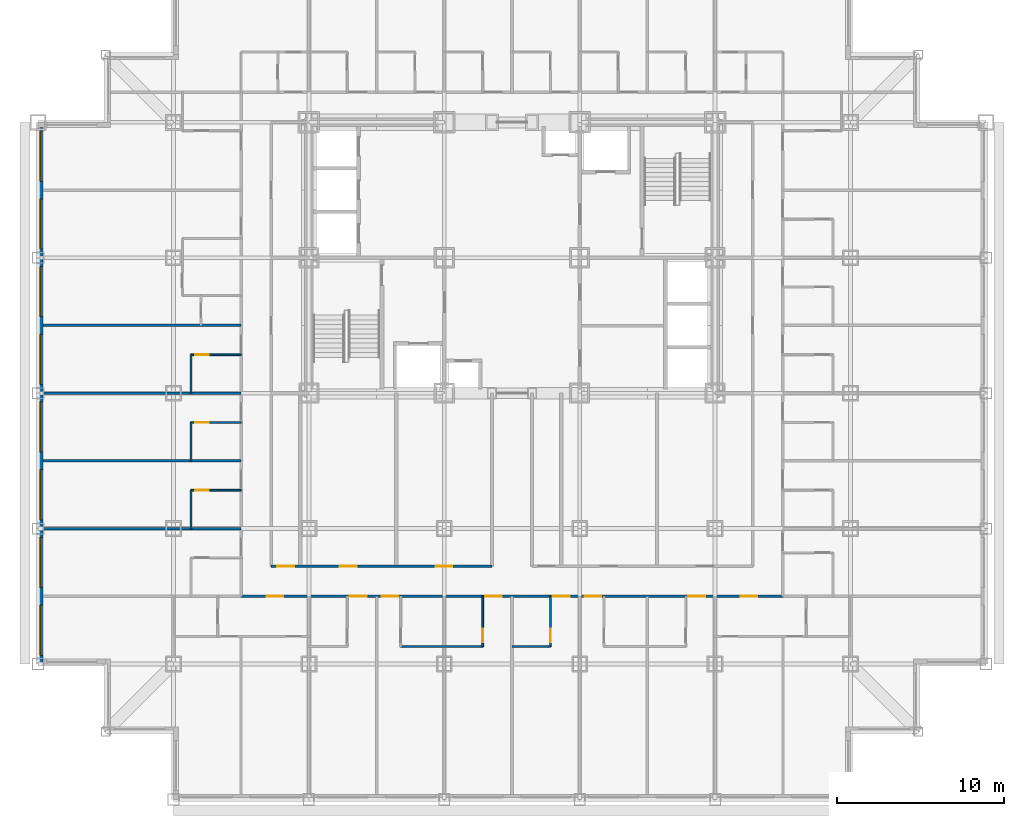
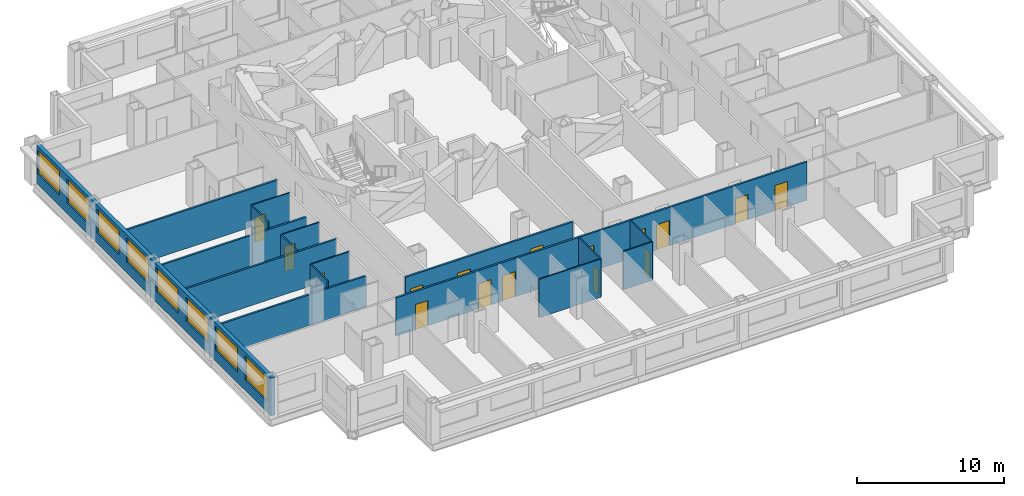
# One storey, part 4 of 11: 17 walls, 16 doors, 8 windows, 24 openings.
"""IFC4 building model written with IfcOpenShell, lengths in metres."""

import ifcopenshell
import ifcopenshell.guid

model = None  # the IFC model being written
_history = None  # IfcOwnerHistory: only IFC2X3 demands one
_inside = {}  # id of a spatial element -> (the spatial element, [elements in it])
_under = {}  # id of a project, library or spatial element -> (it, [spatial elements below it])
_declared = {}  # id of a project -> (the project, [libraries it declares])
_typed = {}  # id of a type object -> (the type object, [elements of that type])
_made_of = {}  # id of a material, layer set ... -> (it, [elements and type objects made of it])


def new_model(schema):
    """Start an empty IFC model of exactly this schema.

    Asked for "IFC4X3", IfcOpenShell would pick the latest addendum, in which some entities
    have other attributes; the version numbers below select the first issue.
    IFC2X3 requires an IfcOwnerHistory on every rooted entity: one is made here for all.
    """
    global model, _history
    if schema == "IFC4X3":
        model = ifcopenshell.file(schema_version=(4, 3, 0, 0))
    else:
        model = ifcopenshell.file(schema=schema)
    _inside.clear()
    _under.clear()
    _declared.clear()
    _typed.clear()
    _made_of.clear()
    _history = None
    if model.schema == "IFC2X3":
        org = make("IfcOrganization", Name="unknown")
        user = make(
            "IfcPersonAndOrganization",
            ThePerson=make("IfcPerson", FamilyName="unknown"),
            TheOrganization=org,
        )
        app = make(
            "IfcApplication",
            ApplicationDeveloper=org,
            Version="unknown",
            ApplicationFullName="unknown",
            ApplicationIdentifier="unknown",
        )
        _history = make(
            "IfcOwnerHistory",
            OwningUser=user,
            OwningApplication=app,
            ChangeAction="ADDED",
            CreationDate=0,
        )
    return model


def make(cls, **values):
    """One entity of the class cls with the attributes given. An attribute that is None is left unset."""
    return model.create_entity(
        cls, **{name: value for name, value in values.items() if value is not None}
    )


def rooted(cls, **values):
    """An entity with a GlobalId (a new one), such as an element, a storey or a relation."""
    return make(cls, GlobalId=ifcopenshell.guid.new(), OwnerHistory=_history, **values)


def si_unit(unit_type, name, prefix=None):
    """IfcSIUnit, for example si_unit("LENGTHUNIT", "METRE", prefix="MILLI")."""
    return make("IfcSIUnit", UnitType=unit_type, Prefix=prefix, Name=name)


def assignment(units):
    """IfcUnitAssignment: the units of a project."""
    return None if units is None else make("IfcUnitAssignment", Units=units)


def point(xyz):
    """IfcCartesianPoint."""
    return None if xyz is None else make("IfcCartesianPoint", Coordinates=xyz)


def direction(xyz):
    """IfcDirection."""
    return None if xyz is None else make("IfcDirection", DirectionRatios=xyz)


def frame(location, z_axis=None, x_axis=None):
    """IfcAxis2Placement3D, a coordinate frame: its origin and axes. An axis left out is left unset."""
    return make(
        "IfcAxis2Placement3D",
        Location=point(location),
        Axis=direction(z_axis),
        RefDirection=direction(x_axis),
    )


def frame_2d(location, x_axis=None):
    """IfcAxis2Placement2D, a coordinate frame in the plane: its origin and x axis."""
    return make(
        "IfcAxis2Placement2D", Location=point(location), RefDirection=direction(x_axis)
    )


def origin():
    """The frame at (0, 0, 0) with its axes left unset."""
    return frame((0.0, 0.0, 0.0))


def place(relative_to, where):
    """IfcLocalPlacement: puts the frame where relative to a parent placement (None: the world)."""
    return make(
        "IfcLocalPlacement", PlacementRelTo=relative_to, RelativePlacement=where
    )


def context(
    kind, dimensions, precision=None, world=None, true_north=None, identifier=None
):
    """IfcGeometricRepresentationContext, for example the 3D "Model" context."""
    return make(
        "IfcGeometricRepresentationContext",
        ContextIdentifier=identifier,
        ContextType=kind,
        CoordinateSpaceDimension=dimensions,
        Precision=precision,
        WorldCoordinateSystem=world,
        TrueNorth=true_north,
    )


def subcontext(parent, identifier, kind, view, scale=None):
    """IfcGeometricRepresentationSubContext, for example "Body" below "Model"."""
    return make(
        "IfcGeometricRepresentationSubContext",
        ContextIdentifier=identifier,
        ContextType=kind,
        ParentContext=parent,
        TargetScale=scale,
        TargetView=view,
    )


def project(units=None, contexts=None):
    """IfcProject with its units and contexts."""
    return rooted(
        "IfcProject",
        Name="project",
        RepresentationContexts=contexts,
        UnitsInContext=assignment(units),
    )


def spatial(cls, under=None, at=None, **own):
    """A site, building, storey or space (cls), placed at a placement, below another one or the project."""
    s = rooted(cls, ObjectPlacement=at, **own)
    if under is not None:
        _under.setdefault(under.id(), (under, []))[1].append(s)
    return s


def profile(cls, at=None, kind="AREA", **sizes):
    """A parametric profile (cls). Its sizes go by their IFC names, for example OverallWidth=200.0."""
    return make(cls, ProfileType=kind, Position=at, **sizes)


def rectangle(**sizes):
    """IfcRectangleProfileDef."""
    return profile("IfcRectangleProfileDef", **sizes)


def extrude(swept, where, along, depth):
    """IfcExtrudedAreaSolid: the profile swept, set in the frame where, extruded along a direction by depth."""
    return make(
        "IfcExtrudedAreaSolid",
        SweptArea=swept,
        Position=where,
        ExtrudedDirection=direction(along),
        Depth=depth,
    )


def shape(context_of_items, identifier, shape_type, items):
    """IfcShapeRepresentation: the items that make up one representation, for example the "Body"."""
    return make(
        "IfcShapeRepresentation",
        ContextOfItems=context_of_items,
        RepresentationIdentifier=identifier,
        RepresentationType=shape_type,
        Items=items,
    )


def material(Name=None, Category=None):
    """IfcMaterial."""
    return make("IfcMaterial", Name=Name, Category=Category)


def layer(
    of_material, thickness, ventilated=None, Name=None, Category=None, Priority=None
):
    """IfcMaterialLayer: one layer of a wall or slab, of a material (None: an air gap)."""
    return make(
        "IfcMaterialLayer",
        Material=of_material,
        LayerThickness=thickness,
        IsVentilated=ventilated,
        Name=Name,
        Category=Category,
        Priority=Priority,
    )


def layer_set(layers, Name=None):
    """IfcMaterialLayerSet."""
    return make("IfcMaterialLayerSet", MaterialLayers=layers, LayerSetName=Name)


def made_of(thing, what):
    """Note that an element or type object is made of a material, layer set ...; save() writes the relation."""
    if what is not None:
        _made_of.setdefault(what.id(), (what, []))[1].append(thing)
    return thing


def type_object(cls, material=None, **own):
    """A type object (cls), such as IfcWallType, which elements share."""
    return made_of(rooted(cls, **own), material)


def element(
    cls,
    number,
    at=None,
    inside=None,
    cuts=None,
    type_object=None,
    material=None,
    context=None,
    identifier="Body",
    shape_type=None,
    held_by="IfcProductDefinitionShape",
    body=None,
    shapes=None,
    **own,
):
    """One element of the class cls, such as IfcWall. Its Tag is "e" and its number.

    at: its placement. inside: the storey or other place that contains it. cuts: it is an
    opening in that element (IfcRelVoidsElement). A single representation is given by context,
    identifier, shape_type and body (its items); several are given by shapes. held_by: the class
    of the entity that holds the representations. save() writes the other relations.
    """
    e = rooted(cls, Tag="e%d" % number, ObjectPlacement=at, **own)
    if body is not None:
        shapes = [shape(context, identifier, shape_type, body)]
    if shapes is not None:
        e.Representation = make(held_by, Representations=shapes)
    if inside is not None:
        _inside.setdefault(inside.id(), (inside, []))[1].append(e)
    if cuts is not None:
        rooted(
            "IfcRelVoidsElement", RelatingBuildingElement=cuts, RelatedOpeningElement=e
        )
    if type_object is not None:
        _typed.setdefault(type_object.id(), (type_object, []))[1].append(e)
    return made_of(e, material)


def fill(opening, filler):
    """IfcRelFillsElement: the door or window that sits in an opening."""
    return rooted(
        "IfcRelFillsElement",
        RelatingOpeningElement=opening,
        RelatedBuildingElement=filler,
    )


def aggregate(whole, parts):
    """IfcRelAggregates: a whole, such as a stair, and the parts it consists of."""
    return rooted("IfcRelAggregates", RelatingObject=whole, RelatedObjects=parts)


def save(model, path):
    """Write the relations noted so far, then the file.

    IfcRelAggregates (storeys below a building ...), IfcRelContainedInSpatialStructure (elements
    in a storey), IfcRelDefinesByType, IfcRelAssociatesMaterial and IfcRelDeclares: one each for
    every whole, place, type object, material and project.
    """
    for whole, parts in _under.values():
        aggregate(whole, parts)
    for where, things in _inside.values():
        rooted(
            "IfcRelContainedInSpatialStructure",
            RelatedElements=things,
            RelatingStructure=where,
        )
    for kind, things in _typed.values():
        rooted("IfcRelDefinesByType", RelatedObjects=things, RelatingType=kind)
    for what, things in _made_of.values():
        rooted("IfcRelAssociatesMaterial", RelatedObjects=things, RelatingMaterial=what)
    for by, libraries in _declared.values():
        rooted("IfcRelDeclares", RelatingContext=by, RelatedDefinitions=libraries)
    model.write(path)


model = new_model("IFC4")

# Units and contexts
model_context = context("Model", 3, precision=1e-05, world=origin(), true_north=direction((0.0, 1.0)))
body_context = subcontext(model_context, "Body", "Model", "MODEL_VIEW")
ifc_project = project(units=[si_unit("LENGTHUNIT", "METRE"), si_unit("AREAUNIT", "SQUARE_METRE"), si_unit("VOLUMEUNIT", "CUBIC_METRE"), si_unit("PLANEANGLEUNIT", "RADIAN"), si_unit("MASSUNIT", "GRAM", prefix="KILO")], contexts=[model_context])

# Site, building, storey
site_placement = place(None, origin())
site = spatial("IfcSite", under=ifc_project, at=site_placement, CompositionType="ELEMENT")
building_placement = place(site_placement, origin())
building = spatial("IfcBuilding", under=site, at=building_placement, Name="Kopane Lantern Tower", CompositionType="ELEMENT")
storey_placement = place(building_placement, frame((0.0, 0.0, 60.199951171875)))
storey = spatial("IfcBuildingStorey", under=building, at=storey_placement, Name="L14", CompositionType="ELEMENT", Elevation=60.199951171875)

# Wall
ifc_material_1 = material(Name="Moisture-resistant board on steel studs", Category="steel")
ifc_layer_1 = layer(ifc_material_1, 0.10009765625)
ifc_layer_set_1 = layer_set([ifc_layer_1], Name="BATHROOM WALL 100")
wall_type_1 = type_object("IfcWallType", Name="BATHROOM WALL 100", PredefinedType="PARTITIONING", material=ifc_layer_set_1)
wall_1_placement = place(storey_placement, frame((21.699951171875, 9.14990234375, 0.0), z_axis=(0.0, 0.0, 1.0), x_axis=(1.0, 0.0, 0.0)))
element("IfcWall", 1, at=wall_1_placement, inside=storey, type_object=wall_type_1, Name="Bathroom Wall 100 L14", PredefinedType="PARTITIONING", context=body_context, shape_type="SweptSolid", body=[
    extrude(rectangle(XDim=4.900146484375, YDim=0.10009765625, at=frame_2d((2.4501953125, 0.0))), origin(), (0.0, 0.0, 1.0), 3.18994140625),
])

# Wall, opening, door
wall_2_placement = place(storey_placement, frame((26.60009765625, 12.14990234375, 0.0), z_axis=(0.0, 0.0, 1.0), x_axis=(0.0, -1.0, 0.0)))
wall_2 = element("IfcWall", 2, at=wall_2_placement, inside=storey, type_object=wall_type_1, Name="Bathroom Wall 100 L14", PredefinedType="PARTITIONING", context=body_context, shape_type="SweptSolid", body=[
    extrude(rectangle(XDim=3.0, YDim=0.10009765625, at=frame_2d((1.5, 0.0))), origin(), (0.0, 0.0, 1.0), 3.18994140625),
])
opening_1_placement = place(wall_2_placement, frame((1.949951171875, 0.0, 0.0)))
opening_1 = element("IfcOpeningElement", 3, at=opening_1_placement, cuts=wall_2, Name="Opening L14-015", PredefinedType="OPENING", context=body_context, shape_type="SweptSolid", body=[
    extrude(rectangle(XDim=0.800048828125, YDim=2.10009765625, at=frame_2d((0.39990234375, 1.050048828125))), frame((0.0, 0.06005859375, 0.0), z_axis=(0.0, -1.0, 0.0), x_axis=(1.0, 0.0, 0.0)), (0.0, 0.0, 1.0), 0.1201171875),
])
ifc_material_2 = material(Name="Timber door set", Category="wood")
door_type_1 = type_object("IfcDoorType", Name="DOOR D2 800x2100", OperationType="SINGLE_SWING_LEFT", PredefinedType="DOOR", material=ifc_material_2)
door_1_placement = place(opening_1_placement, origin())
door_1 = element("IfcDoor", 4, at=door_1_placement, inside=storey, type_object=door_type_1, Name="Door L14-015", OperationType="SINGLE_SWING_LEFT", OverallHeight=2.10009765625, OverallWidth=0.800048828125, PredefinedType="DOOR", context=body_context, shape_type="SweptSolid", body=[
    extrude(rectangle(XDim=0.800048828125, YDim=2.10009765625, at=frame_2d((0.39990234375, 1.050048828125))), frame((0.0, 0.02490234375, 0.0), z_axis=(0.0, -1.0, 0.0), x_axis=(1.0, 0.0, 0.0)), (0.0, 0.0, 1.0), 0.050048828125),
])
fill(opening_1, door_1)

# Wall
wall_3_placement = place(storey_placement, frame((28.35009765625, 9.14990234375, 0.0), z_axis=(0.0, 0.0, 1.0), x_axis=(1.0, 0.0, 0.0)))
element("IfcWall", 5, at=wall_3_placement, inside=storey, type_object=wall_type_1, Name="Bathroom Wall 100 L14", PredefinedType="PARTITIONING", context=body_context, shape_type="SweptSolid", body=[
    extrude(rectangle(XDim=2.2998046875, YDim=0.10009765625, at=frame_2d((1.14990234375, 0.0))), origin(), (0.0, 0.0, 1.0), 3.18994140625),
])

# Wall, opening, door
wall_4_placement = place(storey_placement, frame((30.64990234375, 12.14990234375, 0.0), z_axis=(0.0, 0.0, 1.0), x_axis=(0.0, -1.0, 0.0)))
wall_4 = element("IfcWall", 6, at=wall_4_placement, inside=storey, type_object=wall_type_1, Name="Bathroom Wall 100 L14", PredefinedType="PARTITIONING", context=body_context, shape_type="SweptSolid", body=[
    extrude(rectangle(XDim=3.0, YDim=0.10009765625, at=frame_2d((1.5, 0.0))), origin(), (0.0, 0.0, 1.0), 3.18994140625),
])
opening_2_placement = place(wall_4_placement, frame((1.949951171875, 0.0, 0.0)))
opening_2 = element("IfcOpeningElement", 7, at=opening_2_placement, cuts=wall_4, Name="Opening L14-017", PredefinedType="OPENING", context=body_context, shape_type="SweptSolid", body=[
    extrude(rectangle(XDim=0.800048828125, YDim=2.10009765625, at=frame_2d((0.39990234375, 1.050048828125))), frame((0.0, 0.06005859375, 0.0), z_axis=(0.0, -1.0, 0.0), x_axis=(1.0, 0.0, 0.0)), (0.0, 0.0, 1.0), 0.1201171875),
])
door_2_placement = place(opening_2_placement, origin())
door_2 = element("IfcDoor", 8, at=door_2_placement, inside=storey, type_object=door_type_1, Name="Door L14-017", OperationType="SINGLE_SWING_LEFT", OverallHeight=2.10009765625, OverallWidth=0.800048828125, PredefinedType="DOOR", context=body_context, shape_type="SweptSolid", body=[
    extrude(rectangle(XDim=0.800048828125, YDim=2.10009765625, at=frame_2d((0.39990234375, 1.050048828125))), frame((0.0, 0.02490234375, 0.0), z_axis=(0.0, -1.0, 0.0), x_axis=(1.0, 0.0, 0.0)), (0.0, 0.0, 1.0), 0.050048828125),
])
fill(opening_2, door_2)

# Wall
wall_5_placement = place(storey_placement, frame((9.14990234375, 16.199951171875, 0.0), z_axis=(0.0, 0.0, 1.0), x_axis=(0.0, 1.0, 0.0)))
element("IfcWall", 9, at=wall_5_placement, inside=storey, type_object=wall_type_1, Name="Bathroom Wall 100 L14", PredefinedType="PARTITIONING", context=body_context, shape_type="SweptSolid", body=[
    extrude(rectangle(XDim=2.300048828125, YDim=0.10009765625, at=frame_2d((1.14990234375, 0.0))), origin(), (0.0, 0.0, 1.0), 3.18994140625),
])

# Wall, opening, door
wall_6_placement = place(storey_placement, frame((12.14990234375, 18.5, 0.0), z_axis=(0.0, 0.0, 1.0), x_axis=(-1.0, 0.0, 0.0)))
wall_6 = element("IfcWall", 10, at=wall_6_placement, inside=storey, type_object=wall_type_1, Name="Bathroom Wall 100 L14", PredefinedType="PARTITIONING", context=body_context, shape_type="SweptSolid", body=[
    extrude(rectangle(XDim=3.0, YDim=0.10009765625, at=frame_2d((1.5, 0.0))), origin(), (0.0, 0.0, 1.0), 3.18994140625),
])
opening_3_placement = place(wall_6_placement, frame((1.949951171875, 0.0, 0.0)))
opening_3 = element("IfcOpeningElement", 11, at=opening_3_placement, cuts=wall_6, Name="Opening L14-037", PredefinedType="OPENING", context=body_context, shape_type="SweptSolid", body=[
    extrude(rectangle(XDim=0.800048828125, YDim=2.10009765625, at=frame_2d((0.39990234375, 1.050048828125))), frame((0.0, 0.06005859375, 0.0), z_axis=(0.0, -1.0, 0.0), x_axis=(1.0, 0.0, 0.0)), (0.0, 0.0, 1.0), 0.1201171875),
])
door_3_placement = place(opening_3_placement, origin())
door_3 = element("IfcDoor", 12, at=door_3_placement, inside=storey, type_object=door_type_1, Name="Door L14-037", OperationType="SINGLE_SWING_RIGHT", OverallHeight=2.10009765625, OverallWidth=0.800048828125, PredefinedType="DOOR", context=body_context, shape_type="SweptSolid", body=[
    extrude(rectangle(XDim=0.800048828125, YDim=2.10009765625, at=frame_2d((0.39990234375, 1.050048828125))), frame((0.0, 0.02490234375, 0.0), z_axis=(0.0, -1.0, 0.0), x_axis=(1.0, 0.0, 0.0)), (0.0, 0.0, 1.0), 0.050048828125),
])
fill(opening_3, door_3)

# Wall
wall_7_placement = place(storey_placement, frame((9.14990234375, 20.25, 0.0), z_axis=(0.0, 0.0, 1.0), x_axis=(0.0, 1.0, 0.0)))
element("IfcWall", 13, at=wall_7_placement, inside=storey, type_object=wall_type_1, Name="Bathroom Wall 100 L14", PredefinedType="PARTITIONING", context=body_context, shape_type="SweptSolid", body=[
    extrude(rectangle(XDim=2.300048828125, YDim=0.10009765625, at=frame_2d((1.14990234375, 0.0))), origin(), (0.0, 0.0, 1.0), 3.18994140625),
])

# Wall, opening, door
wall_8_placement = place(storey_placement, frame((12.14990234375, 22.550048828125, 0.0), z_axis=(0.0, 0.0, 1.0), x_axis=(-1.0, 0.0, 0.0)))
wall_8 = element("IfcWall", 14, at=wall_8_placement, inside=storey, type_object=wall_type_1, Name="Bathroom Wall 100 L14", PredefinedType="PARTITIONING", context=body_context, shape_type="SweptSolid", body=[
    extrude(rectangle(XDim=3.0, YDim=0.10009765625, at=frame_2d((1.5, 0.0))), origin(), (0.0, 0.0, 1.0), 3.18994140625),
])
opening_4_placement = place(wall_8_placement, frame((1.949951171875, 0.0, 0.0)))
opening_4 = element("IfcOpeningElement", 15, at=opening_4_placement, cuts=wall_8, Name="Opening L14-039", PredefinedType="OPENING", context=body_context, shape_type="SweptSolid", body=[
    extrude(rectangle(XDim=0.800048828125, YDim=2.10009765625, at=frame_2d((0.39990234375, 1.050048828125))), frame((0.0, 0.06005859375, 0.0), z_axis=(0.0, -1.0, 0.0), x_axis=(1.0, 0.0, 0.0)), (0.0, 0.0, 1.0), 0.1201171875),
])
door_4_placement = place(opening_4_placement, origin())
door_4 = element("IfcDoor", 16, at=door_4_placement, inside=storey, type_object=door_type_1, Name="Door L14-039", OperationType="SINGLE_SWING_RIGHT", OverallHeight=2.10009765625, OverallWidth=0.800048828125, PredefinedType="DOOR", context=body_context, shape_type="SweptSolid", body=[
    extrude(rectangle(XDim=0.800048828125, YDim=2.10009765625, at=frame_2d((0.39990234375, 1.050048828125))), frame((0.0, 0.02490234375, 0.0), z_axis=(0.0, -1.0, 0.0), x_axis=(1.0, 0.0, 0.0)), (0.0, 0.0, 1.0), 0.050048828125),
])
fill(opening_4, door_4)

# Wall
wall_9_placement = place(storey_placement, frame((9.14990234375, 24.300048828125, 0.0), z_axis=(0.0, 0.0, 1.0), x_axis=(0.0, 1.0, 0.0)))
element("IfcWall", 17, at=wall_9_placement, inside=storey, type_object=wall_type_1, Name="Bathroom Wall 100 L14", PredefinedType="PARTITIONING", context=body_context, shape_type="SweptSolid", body=[
    extrude(rectangle(XDim=2.300048828125, YDim=0.10009765625, at=frame_2d((1.14990234375, 0.0))), origin(), (0.0, 0.0, 1.0), 3.18994140625),
])

# Wall, opening, door
wall_10_placement = place(storey_placement, frame((12.14990234375, 26.60009765625, 0.0), z_axis=(0.0, 0.0, 1.0), x_axis=(-1.0, 0.0, 0.0)))
wall_10 = element("IfcWall", 18, at=wall_10_placement, inside=storey, type_object=wall_type_1, Name="Bathroom Wall 100 L14", PredefinedType="PARTITIONING", context=body_context, shape_type="SweptSolid", body=[
    extrude(rectangle(XDim=3.0, YDim=0.10009765625, at=frame_2d((1.5, 0.0))), origin(), (0.0, 0.0, 1.0), 3.18994140625),
])
opening_5_placement = place(wall_10_placement, frame((1.949951171875, 0.0, 0.0)))
opening_5 = element("IfcOpeningElement", 19, at=opening_5_placement, cuts=wall_10, Name="Opening L14-041", PredefinedType="OPENING", context=body_context, shape_type="SweptSolid", body=[
    extrude(rectangle(XDim=0.800048828125, YDim=2.10009765625, at=frame_2d((0.39990234375, 1.050048828125))), frame((0.0, 0.06005859375, 0.0), z_axis=(0.0, -1.0, 0.0), x_axis=(1.0, 0.0, 0.0)), (0.0, 0.0, 1.0), 0.1201171875),
])
door_5_placement = place(opening_5_placement, origin())
door_5 = element("IfcDoor", 20, at=door_5_placement, inside=storey, type_object=door_type_1, Name="Door L14-041", OperationType="SINGLE_SWING_RIGHT", OverallHeight=2.10009765625, OverallWidth=0.800048828125, PredefinedType="DOOR", context=body_context, shape_type="SweptSolid", body=[
    extrude(rectangle(XDim=0.800048828125, YDim=2.10009765625, at=frame_2d((0.39990234375, 1.050048828125))), frame((0.0, 0.02490234375, 0.0), z_axis=(0.0, -1.0, 0.0), x_axis=(1.0, 0.0, 0.0)), (0.0, 0.0, 1.0), 0.050048828125),
])
fill(opening_5, door_5)

# Wall, openings, doors
ifc_material_3 = material(Name="Gypsum board on steel studs", Category="steel")
ifc_layer_2 = layer(ifc_material_3, 0.14990234375)
ifc_layer_set_2 = layer_set([ifc_layer_2], Name="CORRIDOR WALL 150 EI 60")
wall_type_2 = type_object("IfcWallType", Name="CORRIDOR WALL 150 EI 60", PredefinedType="PARTITIONING", material=ifc_layer_set_2)
wall_11_placement = place(storey_placement, frame((12.14990234375, 12.14990234375, 0.0), z_axis=(0.0, 0.0, 1.0), x_axis=(1.0, 0.0, 0.0)))
wall_11 = element("IfcWall", 21, at=wall_11_placement, inside=storey, type_object=wall_type_2, Name="Corridor Wall 150 Ei 60 L14", PredefinedType="PARTITIONING", context=body_context, shape_type="SweptSolid", body=[
    extrude(rectangle(XDim=32.400146484375, YDim=0.14990234375, at=frame_2d((16.2001953125, 0.0))), origin(), (0.0, 0.0, 1.0), 3.18994140625),
])
opening_6_placement = place(wall_11_placement, frame((6.5, 0.0, 0.0)))
opening_6 = element("IfcOpeningElement", 22, at=opening_6_placement, cuts=wall_11, Name="Opening L14-012", PredefinedType="OPENING", context=body_context, shape_type="SweptSolid", body=[
    extrude(rectangle(XDim=1.0, YDim=2.10009765625, at=frame_2d((0.5, 1.050048828125))), frame((0.0, 0.0849609375, 0.0), z_axis=(0.0, -1.0, 0.0), x_axis=(1.0, 0.0, 0.0)), (0.0, 0.0, 1.0), 0.169921875),
])
opening_7_placement = place(wall_11_placement, frame((8.39990234375, 0.0, 0.0)))
opening_7 = element("IfcOpeningElement", 23, at=opening_7_placement, cuts=wall_11, Name="Opening L14-014", PredefinedType="OPENING", context=body_context, shape_type="SweptSolid", body=[
    extrude(rectangle(XDim=1.0, YDim=2.10009765625, at=frame_2d((0.5, 1.050048828125))), frame((0.0, 0.0849609375, 0.0), z_axis=(0.0, -1.0, 0.0), x_axis=(1.0, 0.0, 0.0)), (0.0, 0.0, 1.0), 0.169921875),
])
opening_8_placement = place(wall_11_placement, frame((14.60009765625, 0.0, 0.0)))
opening_8 = element("IfcOpeningElement", 24, at=opening_8_placement, cuts=wall_11, Name="Opening L14-016", PredefinedType="OPENING", context=body_context, shape_type="SweptSolid", body=[
    extrude(rectangle(XDim=1.0, YDim=2.10009765625, at=frame_2d((0.5, 1.050048828125))), frame((0.0, 0.0849609375, 0.0), z_axis=(0.0, -1.0, 0.0), x_axis=(1.0, 0.0, 0.0)), (0.0, 0.0, 1.0), 0.169921875),
])
opening_9_placement = place(wall_11_placement, frame((18.64990234375, 0.0, 0.0)))
opening_9 = element("IfcOpeningElement", 25, at=opening_9_placement, cuts=wall_11, Name="Opening L14-018", PredefinedType="OPENING", context=body_context, shape_type="SweptSolid", body=[
    extrude(rectangle(XDim=1.0, YDim=2.10009765625, at=frame_2d((0.5, 1.050048828125))), frame((0.0, 0.0849609375, 0.0), z_axis=(0.0, -1.0, 0.0), x_axis=(1.0, 0.0, 0.0)), (0.0, 0.0, 1.0), 0.169921875),
])
opening_10_placement = place(wall_11_placement, frame((20.550048828125, 0.0, 0.0)))
opening_10 = element("IfcOpeningElement", 26, at=opening_10_placement, cuts=wall_11, Name="Opening L14-020", PredefinedType="OPENING", context=body_context, shape_type="SweptSolid", body=[
    extrude(rectangle(XDim=1.0, YDim=2.10009765625, at=frame_2d((0.5, 1.050048828125))), frame((0.0, 0.0849609375, 0.0), z_axis=(0.0, -1.0, 0.0), x_axis=(1.0, 0.0, 0.0)), (0.0, 0.0, 1.0), 0.169921875),
])
opening_11_placement = place(wall_11_placement, frame((26.75, 0.0, 0.0)))
opening_11 = element("IfcOpeningElement", 27, at=opening_11_placement, cuts=wall_11, Name="Opening L14-022", PredefinedType="OPENING", context=body_context, shape_type="SweptSolid", body=[
    extrude(rectangle(XDim=1.0, YDim=2.10009765625, at=frame_2d((0.5, 1.050048828125))), frame((0.0, 0.0849609375, 0.0), z_axis=(0.0, -1.0, 0.0), x_axis=(1.0, 0.0, 0.0)), (0.0, 0.0, 1.0), 0.169921875),
])
opening_12_placement = place(wall_11_placement, frame((1.52490234375, 0.0, 0.0)))
opening_12 = element("IfcOpeningElement", 28, at=opening_12_placement, cuts=wall_11, Name="Opening L14-062", PredefinedType="OPENING", context=body_context, shape_type="SweptSolid", body=[
    extrude(rectangle(XDim=1.0, YDim=2.10009765625, at=frame_2d((0.5, 1.050048828125))), frame((0.0, 0.0849609375, 0.0), z_axis=(0.0, -1.0, 0.0), x_axis=(1.0, 0.0, 0.0)), (0.0, 0.0, 1.0), 0.169921875),
])
opening_13_placement = place(wall_11_placement, frame((29.875, 0.0, 0.0)))
opening_13 = element("IfcOpeningElement", 29, at=opening_13_placement, cuts=wall_11, Name="Opening L14-066", PredefinedType="OPENING", context=body_context, shape_type="SweptSolid", body=[
    extrude(rectangle(XDim=1.0, YDim=2.10009765625, at=frame_2d((0.5, 1.050048828125))), frame((0.0, 0.0849609375, 0.0), z_axis=(0.0, -1.0, 0.0), x_axis=(1.0, 0.0, 0.0)), (0.0, 0.0, 1.0), 0.169921875),
])
ifc_material_4 = material(Name="Steel door set", Category="steel")
door_type_2 = type_object("IfcDoorType", Name="DOOR D1 1000x2100 FD30S", OperationType="SINGLE_SWING_LEFT", PredefinedType="DOOR", material=ifc_material_4)
door_6_placement = place(opening_6_placement, origin())
door_6 = element("IfcDoor", 30, at=door_6_placement, inside=storey, type_object=door_type_2, Name="Door L14-012", OperationType="SINGLE_SWING_RIGHT", OverallHeight=2.10009765625, OverallWidth=1.0, PredefinedType="DOOR", context=body_context, shape_type="SweptSolid", body=[
    extrude(rectangle(XDim=1.0, YDim=2.10009765625, at=frame_2d((0.5, 1.050048828125))), frame((0.0, 0.02490234375, 0.0), z_axis=(0.0, -1.0, 0.0), x_axis=(1.0, 0.0, 0.0)), (0.0, 0.0, 1.0), 0.050048828125),
])
fill(opening_6, door_6)
door_7_placement = place(opening_7_placement, origin())
door_7 = element("IfcDoor", 31, at=door_7_placement, inside=storey, type_object=door_type_2, Name="Door L14-014", OperationType="SINGLE_SWING_LEFT", OverallHeight=2.10009765625, OverallWidth=1.0, PredefinedType="DOOR", context=body_context, shape_type="SweptSolid", body=[
    extrude(rectangle(XDim=1.0, YDim=2.10009765625, at=frame_2d((0.5, 1.050048828125))), frame((0.0, 0.02490234375, 0.0), z_axis=(0.0, -1.0, 0.0), x_axis=(1.0, 0.0, 0.0)), (0.0, 0.0, 1.0), 0.050048828125),
])
fill(opening_7, door_7)
door_8_placement = place(opening_8_placement, origin())
door_8 = element("IfcDoor", 32, at=door_8_placement, inside=storey, type_object=door_type_2, Name="Door L14-016", OperationType="SINGLE_SWING_RIGHT", OverallHeight=2.10009765625, OverallWidth=1.0, PredefinedType="DOOR", context=body_context, shape_type="SweptSolid", body=[
    extrude(rectangle(XDim=1.0, YDim=2.10009765625, at=frame_2d((0.5, 1.050048828125))), frame((0.0, 0.02490234375, 0.0), z_axis=(0.0, -1.0, 0.0), x_axis=(1.0, 0.0, 0.0)), (0.0, 0.0, 1.0), 0.050048828125),
])
fill(opening_8, door_8)
door_9_placement = place(opening_9_placement, origin())
door_9 = element("IfcDoor", 33, at=door_9_placement, inside=storey, type_object=door_type_2, Name="Door L14-018", OperationType="SINGLE_SWING_RIGHT", OverallHeight=2.10009765625, OverallWidth=1.0, PredefinedType="DOOR", context=body_context, shape_type="SweptSolid", body=[
    extrude(rectangle(XDim=1.0, YDim=2.10009765625, at=frame_2d((0.5, 1.050048828125))), frame((0.0, 0.02490234375, 0.0), z_axis=(0.0, -1.0, 0.0), x_axis=(1.0, 0.0, 0.0)), (0.0, 0.0, 1.0), 0.050048828125),
])
fill(opening_9, door_9)
door_10_placement = place(opening_10_placement, origin())
door_10 = element("IfcDoor", 34, at=door_10_placement, inside=storey, type_object=door_type_2, Name="Door L14-020", OperationType="SINGLE_SWING_LEFT", OverallHeight=2.10009765625, OverallWidth=1.0, PredefinedType="DOOR", context=body_context, shape_type="SweptSolid", body=[
    extrude(rectangle(XDim=1.0, YDim=2.10009765625, at=frame_2d((0.5, 1.050048828125))), frame((0.0, 0.02490234375, 0.0), z_axis=(0.0, -1.0, 0.0), x_axis=(1.0, 0.0, 0.0)), (0.0, 0.0, 1.0), 0.050048828125),
])
fill(opening_10, door_10)
door_11_placement = place(opening_11_placement, origin())
door_11 = element("IfcDoor", 35, at=door_11_placement, inside=storey, type_object=door_type_2, Name="Door L14-022", OperationType="SINGLE_SWING_RIGHT", OverallHeight=2.10009765625, OverallWidth=1.0, PredefinedType="DOOR", context=body_context, shape_type="SweptSolid", body=[
    extrude(rectangle(XDim=1.0, YDim=2.10009765625, at=frame_2d((0.5, 1.050048828125))), frame((0.0, 0.02490234375, 0.0), z_axis=(0.0, -1.0, 0.0), x_axis=(1.0, 0.0, 0.0)), (0.0, 0.0, 1.0), 0.050048828125),
])
fill(opening_11, door_11)
door_12_placement = place(opening_12_placement, origin())
door_12 = element("IfcDoor", 36, at=door_12_placement, inside=storey, type_object=door_type_2, Name="Door L14-062", OperationType="SINGLE_SWING_LEFT", OverallHeight=2.10009765625, OverallWidth=1.0, PredefinedType="DOOR", context=body_context, shape_type="SweptSolid", body=[
    extrude(rectangle(XDim=1.0, YDim=2.10009765625, at=frame_2d((0.5, 1.050048828125))), frame((0.0, 0.02490234375, 0.0), z_axis=(0.0, -1.0, 0.0), x_axis=(1.0, 0.0, 0.0)), (0.0, 0.0, 1.0), 0.050048828125),
])
fill(opening_12, door_12)
door_13_placement = place(opening_13_placement, origin())
door_13 = element("IfcDoor", 37, at=door_13_placement, inside=storey, type_object=door_type_2, Name="Door L14-066", OperationType="SINGLE_SWING_RIGHT", OverallHeight=2.10009765625, OverallWidth=1.0, PredefinedType="DOOR", context=body_context, shape_type="SweptSolid", body=[
    extrude(rectangle(XDim=1.0, YDim=2.10009765625, at=frame_2d((0.5, 1.050048828125))), frame((0.0, 0.02490234375, 0.0), z_axis=(0.0, -1.0, 0.0), x_axis=(1.0, 0.0, 0.0)), (0.0, 0.0, 1.0), 0.050048828125),
])
fill(opening_13, door_13)

wall_12_placement = place(storey_placement, frame((13.949951171875, 13.949951171875, 0.0), z_axis=(0.0, 0.0, 1.0), x_axis=(1.0, 0.0, 0.0)))
wall_12 = element("IfcWall", 38, at=wall_12_placement, inside=storey, type_object=wall_type_2, Name="Corridor Wall 150 Ei 60 L14", PredefinedType="PARTITIONING", context=body_context, shape_type="SweptSolid", body=[
    extrude(rectangle(XDim=13.18994140625, YDim=0.14990234375, at=frame_2d((6.594970703125, 0.0))), origin(), (0.0, 0.0, 1.0), 3.18994140625),
])
opening_14_placement = place(wall_12_placement, frame((0.36962890625, 0.0, 0.0)))
opening_14 = element("IfcOpeningElement", 39, at=opening_14_placement, cuts=wall_12, Name="Opening L14-005", PredefinedType="OPENING", context=body_context, shape_type="SweptSolid", body=[
    extrude(rectangle(XDim=1.0, YDim=2.10009765625, at=frame_2d((0.5, 1.050048828125))), frame((0.0, 0.0849609375, 0.0), z_axis=(0.0, -1.0, 0.0), x_axis=(1.0, 0.0, 0.0)), (0.0, 0.0, 1.0), 0.169921875),
])
opening_15_placement = place(wall_12_placement, frame((4.104248046875, 0.0, 0.0)))
opening_15 = element("IfcOpeningElement", 40, at=opening_15_placement, cuts=wall_12, Name="Opening L14-006", PredefinedType="OPENING", context=body_context, shape_type="SweptSolid", body=[
    extrude(rectangle(XDim=1.0, YDim=2.10009765625, at=frame_2d((0.5, 1.050048828125))), frame((0.0, 0.0849609375, 0.0), z_axis=(0.0, -1.0, 0.0), x_axis=(1.0, 0.0, 0.0)), (0.0, 0.0, 1.0), 0.169921875),
])
opening_16_placement = place(wall_12_placement, frame((9.834716796875, 0.0, 0.0)))
opening_16 = element("IfcOpeningElement", 41, at=opening_16_placement, cuts=wall_12, Name="Opening L14-007", PredefinedType="OPENING", context=body_context, shape_type="SweptSolid", body=[
    extrude(rectangle(XDim=1.0, YDim=2.10009765625, at=frame_2d((0.5, 1.050048828125))), frame((0.0, 0.0849609375, 0.0), z_axis=(0.0, -1.0, 0.0), x_axis=(1.0, 0.0, 0.0)), (0.0, 0.0, 1.0), 0.169921875),
])
ifc_material_5 = material(Name="Steel door set", Category="steel")
door_type_3 = type_object("IfcDoorType", Name="DOOR D5 1000x2100 FD60", OperationType="SINGLE_SWING_LEFT", PredefinedType="DOOR", material=ifc_material_5)
door_14_placement = place(opening_14_placement, origin())
door_14 = element("IfcDoor", 42, at=door_14_placement, inside=storey, type_object=door_type_3, Name="Door L14-005", OperationType="SINGLE_SWING_LEFT", OverallHeight=2.10009765625, OverallWidth=1.0, PredefinedType="DOOR", context=body_context, shape_type="SweptSolid", body=[
    extrude(rectangle(XDim=1.0, YDim=2.10009765625, at=frame_2d((0.5, 1.050048828125))), frame((0.0, 0.02490234375, 0.0), z_axis=(0.0, -1.0, 0.0), x_axis=(1.0, 0.0, 0.0)), (0.0, 0.0, 1.0), 0.050048828125),
])
fill(opening_14, door_14)
door_15_placement = place(opening_15_placement, origin())
door_15 = element("IfcDoor", 43, at=door_15_placement, inside=storey, type_object=door_type_3, Name="Door L14-006", OperationType="SINGLE_SWING_RIGHT", OverallHeight=2.10009765625, OverallWidth=1.0, PredefinedType="DOOR", context=body_context, shape_type="SweptSolid", body=[
    extrude(rectangle(XDim=1.0, YDim=2.10009765625, at=frame_2d((0.5, 1.050048828125))), frame((0.0, 0.02490234375, 0.0), z_axis=(0.0, -1.0, 0.0), x_axis=(1.0, 0.0, 0.0)), (0.0, 0.0, 1.0), 0.050048828125),
])
fill(opening_15, door_15)
door_16_placement = place(opening_16_placement, origin())
door_16 = element("IfcDoor", 44, at=door_16_placement, inside=storey, type_object=door_type_3, Name="Door L14-007", OperationType="SINGLE_SWING_LEFT", OverallHeight=2.10009765625, OverallWidth=1.0, PredefinedType="DOOR", context=body_context, shape_type="SweptSolid", body=[
    extrude(rectangle(XDim=1.0, YDim=2.10009765625, at=frame_2d((0.5, 1.050048828125))), frame((0.0, 0.02490234375, 0.0), z_axis=(0.0, -1.0, 0.0), x_axis=(1.0, 0.0, 0.0)), (0.0, 0.0, 1.0), 0.050048828125),
])
fill(opening_16, door_16)

# Walls
ifc_material_6 = material(Name="Gypsum board on steel studs", Category="steel")
ifc_layer_3 = layer(ifc_material_6, 0.14990234375)
ifc_layer_set_3 = layer_set([ifc_layer_3], Name="DEMISING WALL 150 EI 60")
wall_type_3 = type_object("IfcWallType", Name="DEMISING WALL 150 EI 60", PredefinedType="PARTITIONING", material=ifc_layer_set_3)
wall_13_placement = place(storey_placement, frame((12.14990234375, 16.199951171875, 0.0), z_axis=(0.0, 0.0, 1.0), x_axis=(-1.0, 0.0, 0.0)))
element("IfcWall", 45, at=wall_13_placement, inside=storey, type_object=wall_type_3, Name="Demising Wall 150 Ei 60 L14", PredefinedType="PARTITIONING", context=body_context, shape_type="SweptSolid", body=[
    extrude(rectangle(XDim=11.849853515625, YDim=0.14990234375, at=frame_2d((5.9248046875, 0.0))), origin(), (0.0, 0.0, 1.0), 2.577880859375),
])
wall_14_placement = place(storey_placement, frame((12.14990234375, 20.25, 0.0), z_axis=(0.0, 0.0, 1.0), x_axis=(-1.0, 0.0, 0.0)))
element("IfcWall", 46, at=wall_14_placement, inside=storey, type_object=wall_type_3, Name="Demising Wall 150 Ei 60 L14", PredefinedType="PARTITIONING", context=body_context, shape_type="SweptSolid", body=[
    extrude(rectangle(XDim=11.849853515625, YDim=0.14990234375, at=frame_2d((5.9248046875, 0.0))), origin(), (0.0, 0.0, 1.0), 3.18994140625),
])
wall_15_placement = place(storey_placement, frame((12.14990234375, 24.300048828125, 0.0), z_axis=(0.0, 0.0, 1.0), x_axis=(-1.0, 0.0, 0.0)))
element("IfcWall", 47, at=wall_15_placement, inside=storey, type_object=wall_type_3, Name="Demising Wall 150 Ei 60 L14", PredefinedType="PARTITIONING", context=body_context, shape_type="SweptSolid", body=[
    extrude(rectangle(XDim=11.849853515625, YDim=0.14990234375, at=frame_2d((5.9248046875, 0.0))), origin(), (0.0, 0.0, 1.0), 2.577880859375),
])
wall_16_placement = place(storey_placement, frame((12.14990234375, 28.35009765625, 0.0), z_axis=(0.0, 0.0, 1.0), x_axis=(-1.0, 0.0, 0.0)))
element("IfcWall", 48, at=wall_16_placement, inside=storey, type_object=wall_type_3, Name="Demising Wall 150 Ei 60 L14", PredefinedType="PARTITIONING", context=body_context, shape_type="SweptSolid", body=[
    extrude(rectangle(XDim=11.849853515625, YDim=0.14990234375, at=frame_2d((5.9248046875, 0.0))), origin(), (0.0, 0.0, 1.0), 3.18994140625),
])

# Wall, openings, windows
ifc_material_7 = material(Name="Terracotta rainscreen on light steel framing", Category="masonry")
ifc_layer_4 = layer(ifc_material_7, 0.300048828125)
ifc_layer_set_4 = layer_set([ifc_layer_4], Name="EXTERNAL WALL EW1 300 TERRACOTTA")
wall_type_4 = type_object("IfcWallType", Name="EXTERNAL WALL EW1 300 TERRACOTTA", PredefinedType="SOLIDWALL", material=ifc_layer_set_4)
wall_17_placement = place(storey_placement, frame((0.14990234375, 40.199951171875, 0.0), z_axis=(0.0, 0.0, 1.0), x_axis=(0.0, -1.0, 0.0)))
wall_17 = element("IfcWall", 49, at=wall_17_placement, inside=storey, type_object=wall_type_4, Name="External wall W L14", PredefinedType="SOLIDWALL", context=body_context, shape_type="SweptSolid", body=[
    extrude(rectangle(XDim=32.099853515625, YDim=0.300048828125, at=frame_2d((16.0498046875, 0.0))), origin(), (0.0, 0.0, 1.0), 3.18994140625),
])
opening_17_placement = place(wall_17_placement, frame((0.22509765625, 0.0, 0.89990234375)))
opening_17 = element("IfcOpeningElement", 50, at=opening_17_placement, cuts=wall_17, Name="Opening WR300200", PredefinedType="OPENING", context=body_context, shape_type="SweptSolid", body=[
    extrude(rectangle(XDim=3.0, YDim=2.0, at=frame_2d((1.5, 1.0))), frame((0.0, 0.159912109375, 0.0), z_axis=(0.0, -1.0, 0.0), x_axis=(1.0, 0.0, 0.0)), (0.0, 0.0, 1.0), 0.320068359375),
])
opening_18_placement = place(wall_17_placement, frame((4.27490234375, 0.0, 0.89990234375)))
opening_18 = element("IfcOpeningElement", 51, at=opening_18_placement, cuts=wall_17, Name="Opening WR300200", PredefinedType="OPENING", context=body_context, shape_type="SweptSolid", body=[
    extrude(rectangle(XDim=3.0, YDim=2.0, at=frame_2d((1.5, 1.0))), frame((0.0, 0.159912109375, 0.0), z_axis=(0.0, -1.0, 0.0), x_axis=(1.0, 0.0, 0.0)), (0.0, 0.0, 1.0), 0.320068359375),
])
opening_19_placement = place(wall_17_placement, frame((8.324951171875, 0.0, 0.89990234375)))
opening_19 = element("IfcOpeningElement", 52, at=opening_19_placement, cuts=wall_17, Name="Opening WR300200", PredefinedType="OPENING", context=body_context, shape_type="SweptSolid", body=[
    extrude(rectangle(XDim=3.0, YDim=2.0, at=frame_2d((1.5, 1.0))), frame((0.0, 0.159912109375, 0.0), z_axis=(0.0, -1.0, 0.0), x_axis=(1.0, 0.0, 0.0)), (0.0, 0.0, 1.0), 0.320068359375),
])
opening_20_placement = place(wall_17_placement, frame((12.375, 0.0, 0.89990234375)))
opening_20 = element("IfcOpeningElement", 53, at=opening_20_placement, cuts=wall_17, Name="Opening WR300200", PredefinedType="OPENING", context=body_context, shape_type="SweptSolid", body=[
    extrude(rectangle(XDim=3.0, YDim=2.0, at=frame_2d((1.5, 1.0))), frame((0.0, 0.159912109375, 0.0), z_axis=(0.0, -1.0, 0.0), x_axis=(1.0, 0.0, 0.0)), (0.0, 0.0, 1.0), 0.320068359375),
])
opening_21_placement = place(wall_17_placement, frame((16.425048828125, 0.0, 0.89990234375)))
opening_21 = element("IfcOpeningElement", 54, at=opening_21_placement, cuts=wall_17, Name="Opening WR300200", PredefinedType="OPENING", context=body_context, shape_type="SweptSolid", body=[
    extrude(rectangle(XDim=3.0, YDim=2.0, at=frame_2d((1.5, 1.0))), frame((0.0, 0.159912109375, 0.0), z_axis=(0.0, -1.0, 0.0), x_axis=(1.0, 0.0, 0.0)), (0.0, 0.0, 1.0), 0.320068359375),
])
opening_22_placement = place(wall_17_placement, frame((20.47509765625, 0.0, 0.89990234375)))
opening_22 = element("IfcOpeningElement", 55, at=opening_22_placement, cuts=wall_17, Name="Opening WR300200", PredefinedType="OPENING", context=body_context, shape_type="SweptSolid", body=[
    extrude(rectangle(XDim=3.0, YDim=2.0, at=frame_2d((1.5, 1.0))), frame((0.0, 0.159912109375, 0.0), z_axis=(0.0, -1.0, 0.0), x_axis=(1.0, 0.0, 0.0)), (0.0, 0.0, 1.0), 0.320068359375),
])
opening_23_placement = place(wall_17_placement, frame((24.52490234375, 0.0, 0.89990234375)))
opening_23 = element("IfcOpeningElement", 56, at=opening_23_placement, cuts=wall_17, Name="Opening WR300200", PredefinedType="OPENING", context=body_context, shape_type="SweptSolid", body=[
    extrude(rectangle(XDim=3.0, YDim=2.0, at=frame_2d((1.5, 1.0))), frame((0.0, 0.159912109375, 0.0), z_axis=(0.0, -1.0, 0.0), x_axis=(1.0, 0.0, 0.0)), (0.0, 0.0, 1.0), 0.320068359375),
])
opening_24_placement = place(wall_17_placement, frame((28.574951171875, 0.0, 0.89990234375)))
opening_24 = element("IfcOpeningElement", 57, at=opening_24_placement, cuts=wall_17, Name="Opening WR300200", PredefinedType="OPENING", context=body_context, shape_type="SweptSolid", body=[
    extrude(rectangle(XDim=3.0, YDim=2.0, at=frame_2d((1.5, 1.0))), frame((0.0, 0.159912109375, 0.0), z_axis=(0.0, -1.0, 0.0), x_axis=(1.0, 0.0, 0.0)), (0.0, 0.0, 1.0), 0.320068359375),
])
ifc_material_8 = material(Name="Aluminium and clear glass", Category="aluminium")
window_type = type_object("IfcWindowType", Name="RIBBON WINDOW WR300200 3000x2000", PartitioningType="SINGLE_PANEL", PredefinedType="WINDOW", material=ifc_material_8)
window_1_placement = place(opening_17_placement, origin())
window_1 = element("IfcWindow", 58, at=window_1_placement, inside=storey, type_object=window_type, Name="Window W L14", OverallHeight=2.0, OverallWidth=3.0, PartitioningType="SINGLE_PANEL", PredefinedType="WINDOW", context=body_context, shape_type="SweptSolid", body=[
    extrude(rectangle(XDim=3.0, YDim=2.0, at=frame_2d((1.5, 1.0))), frame((0.0, 0.030029296875, 0.0), z_axis=(0.0, -1.0, 0.0), x_axis=(1.0, 0.0, 0.0)), (0.0, 0.0, 1.0), 0.06005859375),
])
fill(opening_17, window_1)
window_2_placement = place(opening_18_placement, origin())
window_2 = element("IfcWindow", 59, at=window_2_placement, inside=storey, type_object=window_type, Name="Window W L14", OverallHeight=2.0, OverallWidth=3.0, PartitioningType="SINGLE_PANEL", PredefinedType="WINDOW", context=body_context, shape_type="SweptSolid", body=[
    extrude(rectangle(XDim=3.0, YDim=2.0, at=frame_2d((1.5, 1.0))), frame((0.0, 0.030029296875, 0.0), z_axis=(0.0, -1.0, 0.0), x_axis=(1.0, 0.0, 0.0)), (0.0, 0.0, 1.0), 0.06005859375),
])
fill(opening_18, window_2)
window_3_placement = place(opening_19_placement, origin())
window_3 = element("IfcWindow", 60, at=window_3_placement, inside=storey, type_object=window_type, Name="Window W L14", OverallHeight=2.0, OverallWidth=3.0, PartitioningType="SINGLE_PANEL", PredefinedType="WINDOW", context=body_context, shape_type="SweptSolid", body=[
    extrude(rectangle(XDim=3.0, YDim=2.0, at=frame_2d((1.5, 1.0))), frame((0.0, 0.030029296875, 0.0), z_axis=(0.0, -1.0, 0.0), x_axis=(1.0, 0.0, 0.0)), (0.0, 0.0, 1.0), 0.06005859375),
])
fill(opening_19, window_3)
window_4_placement = place(opening_20_placement, origin())
window_4 = element("IfcWindow", 61, at=window_4_placement, inside=storey, type_object=window_type, Name="Window W L14", OverallHeight=2.0, OverallWidth=3.0, PartitioningType="SINGLE_PANEL", PredefinedType="WINDOW", context=body_context, shape_type="SweptSolid", body=[
    extrude(rectangle(XDim=3.0, YDim=2.0, at=frame_2d((1.5, 1.0))), frame((0.0, 0.030029296875, 0.0), z_axis=(0.0, -1.0, 0.0), x_axis=(1.0, 0.0, 0.0)), (0.0, 0.0, 1.0), 0.06005859375),
])
fill(opening_20, window_4)
window_5_placement = place(opening_21_placement, origin())
window_5 = element("IfcWindow", 62, at=window_5_placement, inside=storey, type_object=window_type, Name="Window W L14", OverallHeight=2.0, OverallWidth=3.0, PartitioningType="SINGLE_PANEL", PredefinedType="WINDOW", context=body_context, shape_type="SweptSolid", body=[
    extrude(rectangle(XDim=3.0, YDim=2.0, at=frame_2d((1.5, 1.0))), frame((0.0, 0.030029296875, 0.0), z_axis=(0.0, -1.0, 0.0), x_axis=(1.0, 0.0, 0.0)), (0.0, 0.0, 1.0), 0.06005859375),
])
fill(opening_21, window_5)
window_6_placement = place(opening_22_placement, origin())
window_6 = element("IfcWindow", 63, at=window_6_placement, inside=storey, type_object=window_type, Name="Window W L14", OverallHeight=2.0, OverallWidth=3.0, PartitioningType="SINGLE_PANEL", PredefinedType="WINDOW", context=body_context, shape_type="SweptSolid", body=[
    extrude(rectangle(XDim=3.0, YDim=2.0, at=frame_2d((1.5, 1.0))), frame((0.0, 0.030029296875, 0.0), z_axis=(0.0, -1.0, 0.0), x_axis=(1.0, 0.0, 0.0)), (0.0, 0.0, 1.0), 0.06005859375),
])
fill(opening_22, window_6)
window_7_placement = place(opening_23_placement, origin())
window_7 = element("IfcWindow", 64, at=window_7_placement, inside=storey, type_object=window_type, Name="Window W L14", OverallHeight=2.0, OverallWidth=3.0, PartitioningType="SINGLE_PANEL", PredefinedType="WINDOW", context=body_context, shape_type="SweptSolid", body=[
    extrude(rectangle(XDim=3.0, YDim=2.0, at=frame_2d((1.5, 1.0))), frame((0.0, 0.030029296875, 0.0), z_axis=(0.0, -1.0, 0.0), x_axis=(1.0, 0.0, 0.0)), (0.0, 0.0, 1.0), 0.06005859375),
])
fill(opening_23, window_7)
window_8_placement = place(opening_24_placement, origin())
window_8 = element("IfcWindow", 65, at=window_8_placement, inside=storey, type_object=window_type, Name="Window W L14", OverallHeight=2.0, OverallWidth=3.0, PartitioningType="SINGLE_PANEL", PredefinedType="WINDOW", context=body_context, shape_type="SweptSolid", body=[
    extrude(rectangle(XDim=3.0, YDim=2.0, at=frame_2d((1.5, 1.0))), frame((0.0, 0.030029296875, 0.0), z_axis=(0.0, -1.0, 0.0), x_axis=(1.0, 0.0, 0.0)), (0.0, 0.0, 1.0), 0.06005859375),
])
fill(opening_24, window_8)

save(model, "model.ifc")
